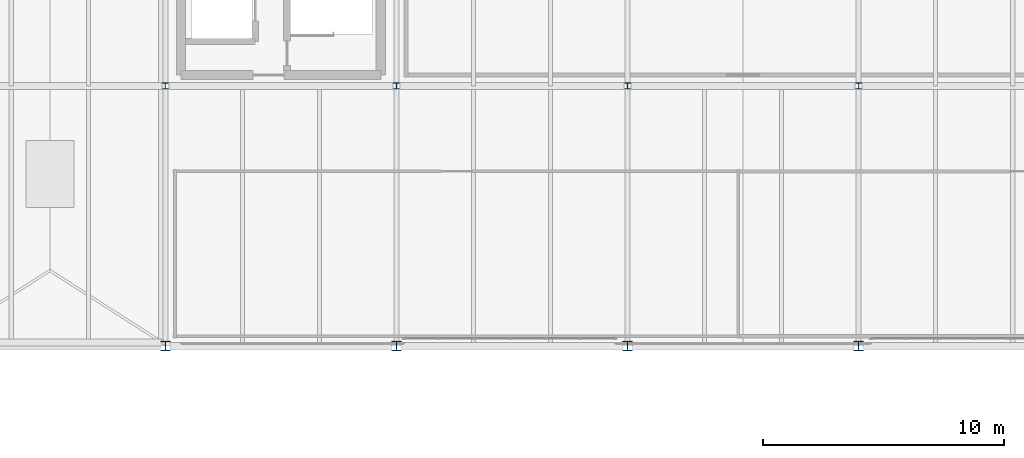
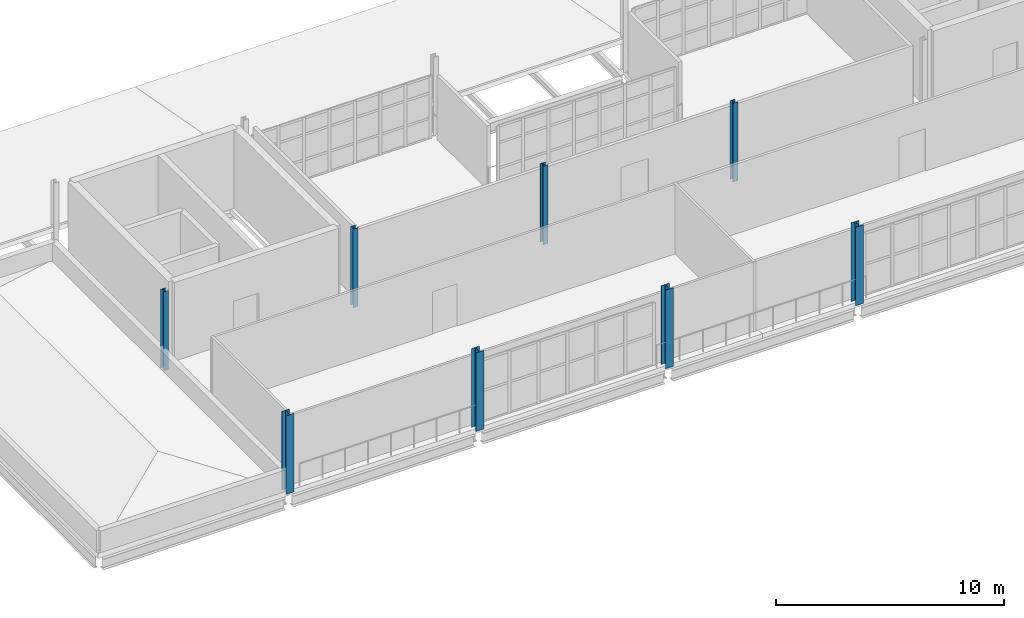
# One storey, part 6 of 58: 8 columns.
"""IFC4 building model written with IfcOpenShell, lengths in metres."""

from ifc_helpers import new_model, si_unit, direction, frame, origin, origin_2d, place, context, subcontext, project, spatial, i_section, extrude, material, material_profile, profile_set, type_object, element, save


model = new_model("IFC4")

# Units and contexts
model_context = context("Model", 3, precision=1e-05, world=origin(), true_north=direction((0.0, 1.0)))
body_context = subcontext(model_context, "Body", "Model", "MODEL_VIEW")
ifc_project = project(units=[si_unit("LENGTHUNIT", "METRE"), si_unit("AREAUNIT", "SQUARE_METRE"), si_unit("VOLUMEUNIT", "CUBIC_METRE"), si_unit("PLANEANGLEUNIT", "RADIAN"), si_unit("MASSUNIT", "GRAM", prefix="KILO")], contexts=[model_context])

# Site, building, storey
site_placement = place(None, origin())
site = spatial("IfcSite", under=ifc_project, at=site_placement, CompositionType="ELEMENT")
building_placement = place(site_placement, origin())
building = spatial("IfcBuilding", under=site, at=building_placement, Name="Yeouljin Market Hall", CompositionType="ELEMENT")
storey_placement = place(building_placement, frame((0.0, 0.0, 10.800048828125)))
storey = spatial("IfcBuildingStorey", under=building, at=storey_placement, Name="L02", CompositionType="ELEMENT", Elevation=10.800048828125)

# Columns
ifc_material_1 = material(Name="Steel SM355", Category="steel")
ifc_material_profile_1 = material_profile(ifc_material_1, i_section(OverallWidth=0.25, OverallDepth=0.25, WebThickness=0.009033203125, FlangeThickness=0.013916015625, FilletRadius=0.01611328125, at=origin_2d()), Name="H-250x250x9x14")
ifc_profile_set_1 = profile_set([ifc_material_profile_1], Name="Steel SM355")
column_type_1 = type_object("IfcColumnType", Name="Col_H-250x250x9x14", PredefinedType="COLUMN", material=ifc_profile_set_1)
for number, where, z_axis, x_axis, name in (
    (1, (64.199951171875, 88.800048828125, 0.0), (0.0, 0.0, 1.0), (1.0, 0.0, 0.0), "Column G-08-09 (L02)"),
    (2, (73.800048828125, 88.800048828125, 0.0), (0.0, 0.0, 1.0), (1.0, 0.0, 0.0), "Column G-09-09 (L02)"),
    (3, (83.39990234375, 88.800048828125, 0.0), (0.0, 0.0, 1.0), (1.0, 0.0, 0.0), "Column G-10-09 (L02)"),
    (4, (93.0, 88.800048828125, 0.0), (0.0, 0.0, 1.0), (1.0, 0.0, 0.0), "Column G-11-09 (L02)"),
):
    element("IfcColumn", number, at=place(storey_placement, frame(where, z_axis=z_axis, x_axis=x_axis)), inside=storey, type_object=column_type_1, Name=name, PredefinedType="COLUMN", context=body_context, shape_type="SweptSolid", body=[
        extrude(i_section(OverallWidth=0.25, OverallDepth=0.25, WebThickness=0.009033203125, FlangeThickness=0.013916015625, FilletRadius=0.01611328125, at=origin_2d()), origin(), (0.0, 0.0, 1.0), 4.199951171875),
    ])
ifc_material_2 = material(Name="Steel SM355", Category="steel")
ifc_material_profile_2 = material_profile(ifc_material_2, i_section(OverallWidth=0.39990234375, OverallDepth=0.39990234375, WebThickness=0.012939453125, FlangeThickness=0.02099609375, FilletRadius=0.02197265625, at=origin_2d()), Name="H-400x400x13x21")
ifc_profile_set_2 = profile_set([ifc_material_profile_2], Name="Steel SM355")
column_type_2 = type_object("IfcColumnType", Name="Col_H-400x400x13x21", PredefinedType="COLUMN", material=ifc_profile_set_2)
for number, where, z_axis, x_axis, name in (
    (5, (64.199951171875, 78.0, 0.0), (0.0, 0.0, 1.0), (1.0, 0.0, 0.0), "Column G-08-08 (L02)"),
    (6, (73.800048828125, 78.0, 0.0), (0.0, 0.0, 1.0), (1.0, 0.0, 0.0), "Column G-09-08 (L02)"),
    (7, (83.39990234375, 78.0, 0.0), (0.0, 0.0, 1.0), (1.0, 0.0, 0.0), "Column G-10-08 (L02)"),
    (8, (93.0, 78.0, 0.0), (0.0, 0.0, 1.0), (1.0, 0.0, 0.0), "Column G-11-08 (L02)"),
):
    element("IfcColumn", number, at=place(storey_placement, frame(where, z_axis=z_axis, x_axis=x_axis)), inside=storey, type_object=column_type_2, Name=name, PredefinedType="COLUMN", context=body_context, shape_type="SweptSolid", body=[
        extrude(i_section(OverallWidth=0.39990234375, OverallDepth=0.39990234375, WebThickness=0.012939453125, FlangeThickness=0.02099609375, FilletRadius=0.02197265625, at=origin_2d()), origin(), (0.0, 0.0, 1.0), 4.199951171875),
    ])

save(model, "model.ifc")
